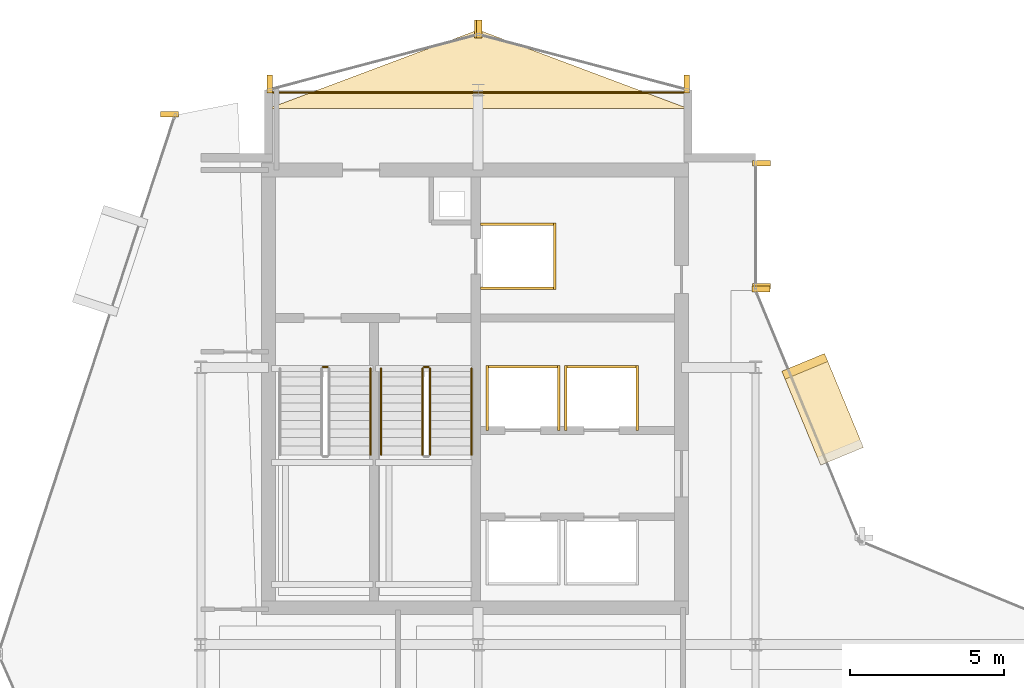
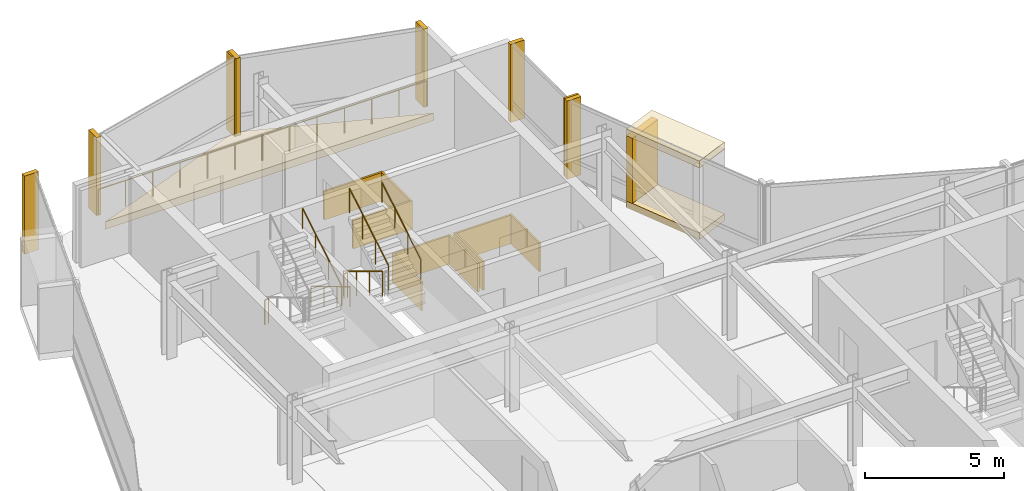
# One storey, part 27 of 27: 21 coverings, 8 railings.
"""IFC4 building model written with IfcOpenShell, lengths in metres."""

from ifc_helpers import new_model, si_unit, direction, frame, origin, origin_2d, place, context, subcontext, project, spatial, polyline, rectangle, circle, outline, extrude, material, layer, layer_set, type_object, element, save


model = new_model("IFC4")

# Units and contexts
model_context = context("Model", 3, precision=1e-05, world=origin(), true_north=direction((0.0, 1.0)))
body_context = subcontext(model_context, "Body", "Model", "MODEL_VIEW")
ifc_project = project(units=[si_unit("LENGTHUNIT", "METRE"), si_unit("AREAUNIT", "SQUARE_METRE"), si_unit("VOLUMEUNIT", "CUBIC_METRE"), si_unit("PLANEANGLEUNIT", "RADIAN"), si_unit("MASSUNIT", "GRAM", prefix="KILO")], contexts=[model_context])

# Site, building, storey
site_placement = place(None, origin())
site = spatial("IfcSite", under=ifc_project, at=site_placement, CompositionType="ELEMENT")
building_placement = place(site_placement, origin())
building = spatial("IfcBuilding", under=site, at=building_placement, Name="Solvaryn Broadcast Tower", CompositionType="ELEMENT")
storey_placement = place(building_placement, frame((0.0, 0.0, 224.699951171875)))
storey = spatial("IfcBuildingStorey", under=building, at=storey_placement, Name="L56", CompositionType="ELEMENT", Elevation=224.699951171875)

# Coverings
ifc_material_1 = material(Name="Fire-Rated Gypsum Shaftwall Liner", Category="concrete")
ifc_layer_1 = layer(ifc_material_1, 0.080078125)
ifc_layer_set_1 = layer_set([ifc_layer_1], Name="CV-SHAFT-LINER")
covering_type_1 = type_object("IfcCoveringType", Name="CV-SHAFT-LINER", PredefinedType="CLADDING", material=ifc_layer_set_1)
for number, where, z_axis, x_axis, name in (
    (1, (19.300048828125, 40.639892578125, 0.0), (0.0, 0.0, 1.0), (1.0, 0.0, 0.0), "L56 FL1 Hoistway Shaft Liner North"),
    (2, (19.300048828125, 38.56005859375, 0.0), (0.0, 0.0, 1.0), (1.0, 0.0, 0.0), "L56 FL1 Hoistway Shaft Liner South"),
):
    element("IfcCovering", number, at=place(storey_placement, frame(where, z_axis=z_axis, x_axis=x_axis)), inside=storey, type_object=covering_type_1, Name=name, PredefinedType="CLADDING", context=body_context, shape_type="SweptSolid", body=[
        extrude(rectangle(XDim=2.4599609375, YDim=0.080078125, at=origin_2d()), origin(), (0.0, 0.0, 1.0), 1.25),
    ])
covering_1_placement = place(storey_placement, frame((20.489990234375, 39.60009765625, 0.0), z_axis=(0.0, 0.0, 1.0), x_axis=(1.0, 0.0, 0.0)))
element("IfcCovering", 3, at=covering_1_placement, inside=storey, type_object=covering_type_1, Name="L56 FL1 Hoistway Shaft Liner East", PredefinedType="CLADDING", context=body_context, shape_type="SweptSolid", body=[
    extrude(rectangle(XDim=0.080078125, YDim=2.159912109375, at=origin_2d()), origin(), (0.0, 0.0, 1.0), 1.25),
])
covering_2_placement = place(storey_placement, frame((19.449951171875, 36.014892578125, 0.0), z_axis=(0.0, 0.0, 1.0), x_axis=(1.0, 0.0, 0.0)))
element("IfcCovering", 4, at=covering_2_placement, inside=storey, type_object=covering_type_1, Name="L56 PH3 Hoistway Shaft Liner North", PredefinedType="CLADDING", context=body_context, shape_type="SweptSolid", body=[
    extrude(rectangle(XDim=2.409912109375, YDim=0.080078125, at=origin_2d()), origin(), (0.0, 0.0, 1.0), 1.25),
])
for number, where, z_axis, x_axis, name in (
    (5, (20.614990234375, 35.0, 0.0), (0.0, 0.0, 1.0), (1.0, 0.0, 0.0), "L56 PH3 Hoistway Shaft Liner East"),
    (6, (18.284912109375, 35.0, 0.0), (0.0, 0.0, 1.0), (1.0, 0.0, 0.0), "L56 PH3 Hoistway Shaft Liner West"),
):
    element("IfcCovering", number, at=place(storey_placement, frame(where, z_axis=z_axis, x_axis=x_axis)), inside=storey, type_object=covering_type_1, Name=name, PredefinedType="CLADDING", context=body_context, shape_type="SweptSolid", body=[
        extrude(rectangle(XDim=0.080078125, YDim=2.110107421875, at=origin_2d()), origin(), (0.0, 0.0, 1.0), 1.25),
    ])
covering_3_placement = place(storey_placement, frame((22.0, 36.014892578125, 0.0), z_axis=(0.0, 0.0, 1.0), x_axis=(1.0, 0.0, 0.0)))
element("IfcCovering", 7, at=covering_3_placement, inside=storey, type_object=covering_type_1, Name="L56 PH4 Hoistway Shaft Liner North", PredefinedType="CLADDING", context=body_context, shape_type="SweptSolid", body=[
    extrude(rectangle(XDim=2.409912109375, YDim=0.080078125, at=origin_2d()), origin(), (0.0, 0.0, 1.0), 1.25),
])
for number, where, z_axis, x_axis, name in (
    (8, (23.1650390625, 35.0, 0.0), (0.0, 0.0, 1.0), (1.0, 0.0, 0.0), "L56 PH4 Hoistway Shaft Liner East"),
    (9, (20.8349609375, 35.0, 0.0), (0.0, 0.0, 1.0), (1.0, 0.0, 0.0), "L56 PH4 Hoistway Shaft Liner West"),
):
    element("IfcCovering", number, at=place(storey_placement, frame(where, z_axis=z_axis, x_axis=x_axis)), inside=storey, type_object=covering_type_1, Name=name, PredefinedType="CLADDING", context=body_context, shape_type="SweptSolid", body=[
        extrude(rectangle(XDim=0.080078125, YDim=2.110107421875, at=origin_2d()), origin(), (0.0, 0.0, 1.0), 1.25),
    ])
ifc_material_2 = material(Name="Glazed Architectural Terracotta Rainscreen Cladding", Category="masonry")
ifc_layer_2 = layer(ifc_material_2, 0.280029296875)
ifc_layer_set_2 = layer_set([ifc_layer_2], Name="CV-TC-CLAD")
covering_type_2 = type_object("IfcCoveringType", Name="CV-TC-CLAD", PredefinedType="CLADDING", material=ifc_layer_set_2)
for number, where, z_axis, x_axis, name in (
    (10, (29.174072265625, 34.636962890625, 3.1298828125), (0.0, 0.0, 1.0), (-0.382683432365, 0.923879532511, 0.0), "L56 Projecting Stone Window Box Hood 5"),
    (11, (29.174072265625, 34.636962890625, -0.009765625), (0.0, 0.0, 1.0), (-0.382683432365, 0.923879532511, 0.0), "L56 Projecting Stone Window Box Sill 5"),
):
    element("IfcCovering", number, at=place(storey_placement, frame(where, z_axis=z_axis, x_axis=x_axis)), inside=storey, type_object=covering_type_2, Name=name, PredefinedType="CLADDING", context=body_context, shape_type="SweptSolid", body=[
        extrude(rectangle(XDim=3.300048828125, YDim=1.5, at=origin_2d()), origin(), (0.0, 0.0, 1.0), 0.300048828125),
    ])
covering_4_placement = place(storey_placement, frame((28.59619140625, 36.031982421875, 0.27978515625), z_axis=(0.0, 0.0, 1.0), x_axis=(-0.382683432365, 0.923879532511, 0.0)))
element("IfcCovering", 12, at=covering_4_placement, inside=storey, type_object=covering_type_2, Name="L56 Projecting Stone Window Box Cheek 5-2", PredefinedType="CLADDING", context=body_context, shape_type="SweptSolid", body=[
    extrude(rectangle(XDim=0.280029296875, YDim=1.5, at=origin_2d()), origin(), (0.0, 0.0, 1.0), 2.860107421875),
])
ifc_material_3 = material(Name="Extruded Architectural Terracotta Fin", Category="masonry")
ifc_layer_3 = layer(ifc_material_3, 0.179931640625)
ifc_layer_set_3 = layer_set([ifc_layer_3], Name="CV-TC-FIN")
covering_type_3 = type_object("IfcCoveringType", Name="CV-TC-FIN", PredefinedType="USERDEFINED", material=ifc_layer_set_3)
for number, where, z_axis, x_axis, name in (
    (13, (7.982666015625, 44.209716796875, 0.0), (0.0, 0.0, 1.0), (1.0, 0.0, 0.0), "L56 Terracotta Vertical Fin FIN-L56-DR1-M00"),
    (14, (27.1875, 42.6201171875, 0.0), (0.0, 0.0, 1.0), (1.0, 0.0, 0.0), "L56 Terracotta Vertical Fin FIN-L56-IV-M00"),
    (15, (27.1875, 38.6298828125, 0.0), (0.0, 0.0, 1.0), (1.0, 0.0, 0.0), "L56 Terracotta Vertical Fin FIN-L56-IV-M01"),
    (16, (27.177978515625, 38.541259765625, 0.0), (0.0, 0.0, 1.0), (1.0, 0.0, 0.0), "L56 Terracotta Vertical Fin FIN-L56-CN2-M01"),
):
    element("IfcCovering", number, at=place(storey_placement, frame(where, z_axis=z_axis, x_axis=x_axis)), inside=storey, type_object=covering_type_3, Name=name, ObjectType="FIN", PredefinedType="USERDEFINED", context=body_context, shape_type="SweptSolid", body=[
        extrude(rectangle(XDim=0.580078125, YDim=0.179931640625, at=origin_2d()), origin(), (0.0, 0.0, 1.0), 3.419921875),
    ])
for number, where, z_axis, x_axis, name in (
    (17, (24.77099609375, 45.1953125, 0.0), (0.0, 0.0, 1.0), (1.0, 0.0, 0.0), "L56 Terracotta Vertical Fin FIN-L56-NT1-M00"),
    (18, (18.029052734375, 46.979736328125, 0.0), (0.0, 0.0, 1.0), (1.0, 0.0, 0.0), "L56 Terracotta Vertical Fin FIN-L56-NT1-M01"),
    (19, (17.970947265625, 46.979736328125, 0.0), (0.0, 0.0, 1.0), (1.0, 0.0, 0.0), "L56 Terracotta Vertical Fin FIN-L56-NT2-M00"),
    (20, (11.22900390625, 45.1953125, 0.0), (0.0, 0.0, 1.0), (1.0, 0.0, 0.0), "L56 Terracotta Vertical Fin FIN-L56-NT2-M01"),
):
    element("IfcCovering", number, at=place(storey_placement, frame(where, z_axis=z_axis, x_axis=x_axis)), inside=storey, type_object=covering_type_3, Name=name, ObjectType="FIN", PredefinedType="USERDEFINED", context=body_context, shape_type="SweptSolid", body=[
        extrude(rectangle(XDim=0.179931640625, YDim=0.580078125, at=origin_2d()), origin(), (0.0, 0.0, 1.0), 3.419921875),
    ])
ifc_material_4 = material(Name="Sculpted Architectural Terracotta Wave Fascia", Category="masonry")
ifc_layer_4 = layer(ifc_material_4, 0.340087890625)
ifc_layer_set_4 = layer_set([ifc_layer_4], Name="CV-WAVE-TRAY")
covering_type_4 = type_object("IfcCoveringType", Name="CV-WAVE-TRAY", PredefinedType="CLADDING", material=ifc_layer_set_4)
covering_5_placement = place(storey_placement, frame((0.0, 0.0, -0.300048828125)))
element("IfcCovering", 21, at=covering_5_placement, inside=storey, type_object=covering_type_4, Name="L56 North Curved Wing Deck", PredefinedType="CLADDING", context=body_context, shape_type="SweptSolid", body=[
    extrude(outline(polyline([(11.199951171875, 44.39990234375), (24.800048828125, 44.39990234375), (18.0, 46.949951171875), (11.199951171875, 44.39990234375)])), origin(), (0.0, 0.0, 1.0), 0.330078125),
])

# Railings
ifc_material_5 = material(Name="Painted Steel Stair Well Guard", Category="steel")
railing_type_1 = type_object("IfcRailingType", Name="RL-STAIR-GUARD", PredefinedType="BALUSTRADE", material=ifc_material_5)
railing_1_placement = place(storey_placement, frame((12.9599609375, 36.010009765625, 0.0)))
element("IfcRailing", 22, at=railing_1_placement, inside=storey, type_object=railing_type_1, Name="L56 ST1 stair guard 4", PredefinedType="BALUSTRADE", context=body_context, shape_type="SweptSolid", body=[
    extrude(circle(Radius=0.02392578125, at=origin_2d()), frame((0.0, 0.0, 1.076171875), z_axis=(1.0, 0.0, 0.0), x_axis=(0.0, 1.0, 0.0)), (0.0, 0.0, 1.0), 0.150146484375),
    extrude(circle(Radius=0.02099609375, at=origin_2d()), origin(), (0.0, 0.0, 1.0), 1.052001953125),
    extrude(circle(Radius=0.02099609375, at=origin_2d()), frame((0.150146484375, 0.0, 0.0)), (0.0, 0.0, 1.0), 1.052001953125),
])
railing_2_placement = place(storey_placement, frame((16.18994140625, 35.9599609375, 0.168212890625)))
element("IfcRailing", 23, at=railing_2_placement, inside=storey, type_object=railing_type_1, Name="L56 ST2 stair guard 1", PredefinedType="BALUSTRADE", context=body_context, shape_type="SweptSolid", body=[
    extrude(circle(Radius=0.02392578125, at=origin_2d()), frame((0.0, 0.0, 1.076171875), z_axis=(0.0, -0.857242210791, 0.514913383045), x_axis=(1.0, 0.0, 0.0)), (0.0, 0.0, 1.0), 3.266357421875),
    extrude(circle(Radius=0.02099609375, at=origin_2d()), origin(), (0.0, 0.0, 1.0), 1.052001953125),
    extrude(circle(Radius=0.02099609375, at=origin_2d()), frame((0.0, -0.933349609375, 0.560546875)), (0.0, 0.0, 1.0), 1.052001953125),
    extrude(circle(Radius=0.02099609375, at=origin_2d()), frame((0.0, -1.86669921875, 1.121337890625)), (0.0, 0.0, 1.0), 1.052001953125),
    extrude(circle(Radius=0.02099609375, at=origin_2d()), frame((0.0, -2.800048828125, 1.681884765625)), (0.0, 0.0, 1.0), 1.052001953125),
])
railing_3_placement = place(storey_placement, frame((16.43994140625, 33.159912109375, 2.018310546875)))
element("IfcRailing", 24, at=railing_3_placement, inside=storey, type_object=railing_type_1, Name="L56 ST2 stair guard 3", PredefinedType="BALUSTRADE", context=body_context, shape_type="SweptSolid", body=[
    extrude(circle(Radius=0.02392578125, at=origin_2d()), frame((0.0, 0.0, 1.076171875), z_axis=(0.0, 0.857275202839, 0.514858452973), x_axis=(-1.0, 0.0, 0.0)), (0.0, 0.0, 1.0), 3.26611328125),
    extrude(circle(Radius=0.02099609375, at=origin_2d()), origin(), (0.0, 0.0, 1.0), 1.052001953125),
    extrude(circle(Radius=0.02099609375, at=origin_2d()), frame((0.0, 0.933349609375, 0.560546875)), (0.0, 0.0, 1.0), 1.052001953125),
    extrude(circle(Radius=0.02099609375, at=origin_2d()), frame((0.0, 1.86669921875, 1.12109375)), (0.0, 0.0, 1.0), 1.052001953125),
    extrude(circle(Radius=0.02099609375, at=origin_2d()), frame((0.0, 2.800048828125, 1.681640625)), (0.0, 0.0, 1.0), 1.052001953125),
])
railing_4_placement = place(storey_placement, frame((16.239990234375, 36.010009765625, 0.0)))
element("IfcRailing", 25, at=railing_4_placement, inside=storey, type_object=railing_type_1, Name="L56 ST2 stair guard 4", PredefinedType="BALUSTRADE", context=body_context, shape_type="SweptSolid", body=[
    extrude(circle(Radius=0.02392578125, at=origin_2d()), frame((0.0, 0.0, 1.076171875), z_axis=(1.0, 0.0, 0.0), x_axis=(0.0, 1.0, 0.0)), (0.0, 0.0, 1.0), 0.14990234375),
    extrude(circle(Radius=0.02099609375, at=origin_2d()), origin(), (0.0, 0.0, 1.0), 1.052001953125),
    extrude(circle(Radius=0.02099609375, at=origin_2d()), frame((0.14990234375, 0.0, 0.0)), (0.0, 0.0, 1.0), 1.052001953125),
])
ifc_material_6 = material(Name="Brushed Stainless Steel Tubular Handrail", Category="steel")
railing_type_2 = type_object("IfcRailingType", Name="RL-STAIR-HANDRAIL", PredefinedType="HANDRAIL", material=ifc_material_6)
railing_5_placement = place(storey_placement, frame((14.5, 33.159912109375, 2.018310546875)))
element("IfcRailing", 26, at=railing_5_placement, inside=storey, type_object=railing_type_2, Name="L56 ST1 stair handrail 2", PredefinedType="HANDRAIL", context=body_context, shape_type="SweptSolid", body=[
    extrude(circle(Radius=0.02392578125, at=origin_2d()), frame((0.0, 0.0, 0.8759765625), z_axis=(0.0, 0.857275202839, 0.514858452973), x_axis=(-1.0, 0.0, 0.0)), (0.0, 0.0, 1.0), 3.26611328125),
    extrude(circle(Radius=0.02099609375, at=origin_2d()), origin(), (0.0, 0.0, 1.0), 0.851806640625),
    extrude(circle(Radius=0.02099609375, at=origin_2d()), frame((0.0, 0.933349609375, 0.560546875)), (0.0, 0.0, 1.0), 0.851806640625),
    extrude(circle(Radius=0.02099609375, at=origin_2d()), frame((0.0, 1.86669921875, 1.12109375)), (0.0, 0.0, 1.0), 0.851806640625),
    extrude(circle(Radius=0.02099609375, at=origin_2d()), frame((0.0, 2.800048828125, 1.681640625)), (0.0, 0.0, 1.0), 0.851806640625),
])
railing_6_placement = place(storey_placement, frame((14.85009765625, 35.9599609375, 0.168212890625)))
element("IfcRailing", 27, at=railing_6_placement, inside=storey, type_object=railing_type_2, Name="L56 ST2 stair handrail 1", PredefinedType="HANDRAIL", context=body_context, shape_type="SweptSolid", body=[
    extrude(circle(Radius=0.02392578125, at=origin_2d()), frame((0.0, 0.0, 0.8759765625), z_axis=(0.0, -0.857242210791, 0.514913383045), x_axis=(1.0, 0.0, 0.0)), (0.0, 0.0, 1.0), 3.266357421875),
    extrude(circle(Radius=0.02099609375, at=origin_2d()), origin(), (0.0, 0.0, 1.0), 0.851806640625),
    extrude(circle(Radius=0.02099609375, at=origin_2d()), frame((0.0, -0.933349609375, 0.560546875)), (0.0, 0.0, 1.0), 0.851806640625),
    extrude(circle(Radius=0.02099609375, at=origin_2d()), frame((0.0, -1.86669921875, 1.121337890625)), (0.0, 0.0, 1.0), 0.851806640625),
    extrude(circle(Radius=0.02099609375, at=origin_2d()), frame((0.0, -2.800048828125, 1.681884765625)), (0.0, 0.0, 1.0), 0.851806640625),
])
railing_7_placement = place(storey_placement, frame((17.780029296875, 33.159912109375, 2.018310546875)))
element("IfcRailing", 28, at=railing_7_placement, inside=storey, type_object=railing_type_2, Name="L56 ST2 stair handrail 2", PredefinedType="HANDRAIL", context=body_context, shape_type="SweptSolid", body=[
    extrude(circle(Radius=0.02392578125, at=origin_2d()), frame((0.0, 0.0, 0.8759765625), z_axis=(0.0, 0.857275202839, 0.514858452973), x_axis=(-1.0, 0.0, 0.0)), (0.0, 0.0, 1.0), 3.26611328125),
    extrude(circle(Radius=0.02099609375, at=origin_2d()), origin(), (0.0, 0.0, 1.0), 0.851806640625),
    extrude(circle(Radius=0.02099609375, at=origin_2d()), frame((0.0, 0.933349609375, 0.560546875)), (0.0, 0.0, 1.0), 0.851806640625),
    extrude(circle(Radius=0.02099609375, at=origin_2d()), frame((0.0, 1.86669921875, 1.12109375)), (0.0, 0.0, 1.0), 0.851806640625),
    extrude(circle(Radius=0.02099609375, at=origin_2d()), frame((0.0, 2.800048828125, 1.681640625)), (0.0, 0.0, 1.0), 0.851806640625),
])
ifc_material_7 = material(Name="Stainless Steel and Laminated Glass Guard", Category="steel")
railing_type_3 = type_object("IfcRailingType", Name="RL-TER-1150", PredefinedType="BALUSTRADE", material=ifc_material_7)
railing_8_placement = place(storey_placement, frame((11.199951171875, 44.919921875, 0.0)))
element("IfcRailing", 29, at=railing_8_placement, inside=storey, type_object=railing_type_3, Name="L56 North Wing Spandrel Edge Guard", PredefinedType="BALUSTRADE", context=body_context, shape_type="SweptSolid", body=[
    extrude(circle(Radius=0.02392578125, at=origin_2d()), frame((0.0, 0.0, 1.1259765625), z_axis=(1.0, 0.0, 0.0), x_axis=(0.0, 1.0, 0.0)), (0.0, 0.0, 1.0), 13.60009765625),
    extrude(circle(Radius=0.02099609375, at=origin_2d()), origin(), (0.0, 0.0, 1.0), 1.101806640625),
    extrude(circle(Radius=0.02099609375, at=origin_2d()), frame((1.13330078125, 0.0, 0.0)), (0.0, 0.0, 1.0), 1.101806640625),
    extrude(circle(Radius=0.02099609375, at=origin_2d()), frame((2.2666015625, 0.0, 0.0)), (0.0, 0.0, 1.0), 1.101806640625),
    extrude(circle(Radius=0.02099609375, at=origin_2d()), frame((3.39990234375, 0.0, 0.0)), (0.0, 0.0, 1.0), 1.101806640625),
    extrude(circle(Radius=0.02099609375, at=origin_2d()), frame((4.533447265625, 0.0, 0.0)), (0.0, 0.0, 1.0), 1.101806640625),
    extrude(circle(Radius=0.02099609375, at=origin_2d()), frame((5.666748046875, 0.0, 0.0)), (0.0, 0.0, 1.0), 1.101806640625),
    extrude(circle(Radius=0.02099609375, at=origin_2d()), frame((6.800048828125, 0.0, 0.0)), (0.0, 0.0, 1.0), 1.101806640625),
    extrude(circle(Radius=0.02099609375, at=origin_2d()), frame((7.933349609375, 0.0, 0.0)), (0.0, 0.0, 1.0), 1.101806640625),
    extrude(circle(Radius=0.02099609375, at=origin_2d()), frame((9.066650390625, 0.0, 0.0)), (0.0, 0.0, 1.0), 1.101806640625),
    extrude(circle(Radius=0.02099609375, at=origin_2d()), frame((10.2001953125, 0.0, 0.0)), (0.0, 0.0, 1.0), 1.101806640625),
    extrude(circle(Radius=0.02099609375, at=origin_2d()), frame((11.33349609375, 0.0, 0.0)), (0.0, 0.0, 1.0), 1.101806640625),
    extrude(circle(Radius=0.02099609375, at=origin_2d()), frame((12.466796875, 0.0, 0.0)), (0.0, 0.0, 1.0), 1.101806640625),
    extrude(circle(Radius=0.02099609375, at=origin_2d()), frame((13.60009765625, 0.0, 0.0)), (0.0, 0.0, 1.0), 1.101806640625),
])

save(model, "model.ifc")
